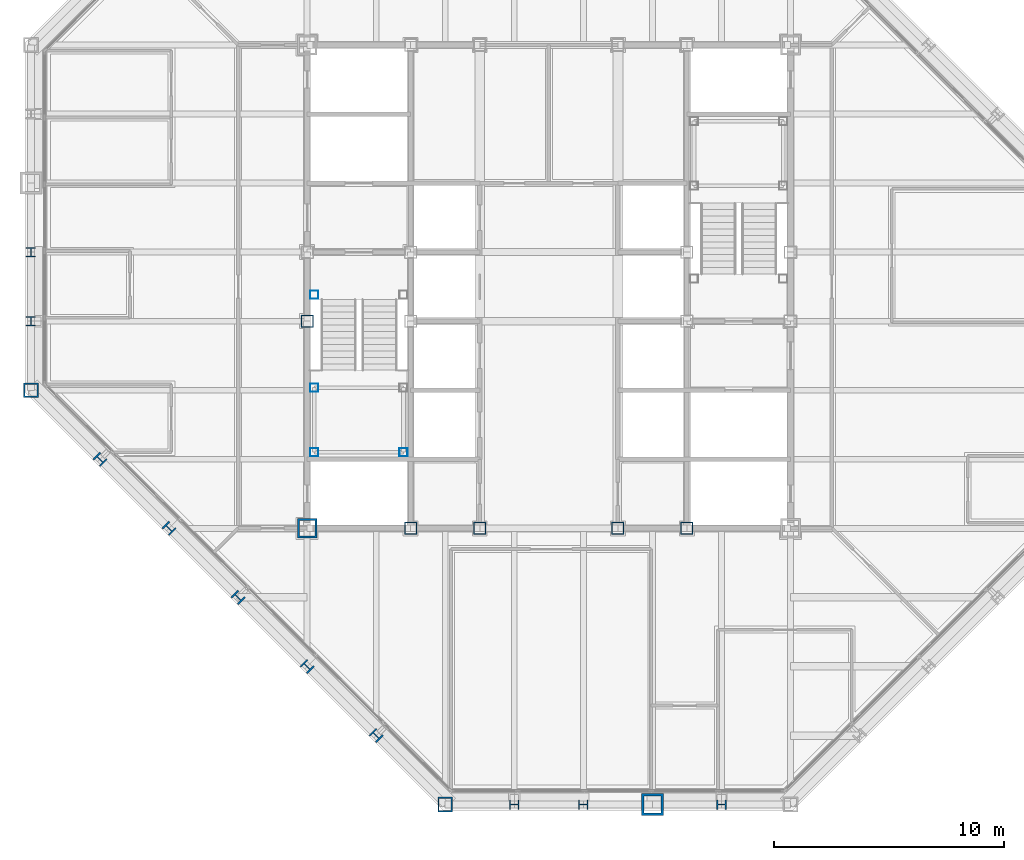
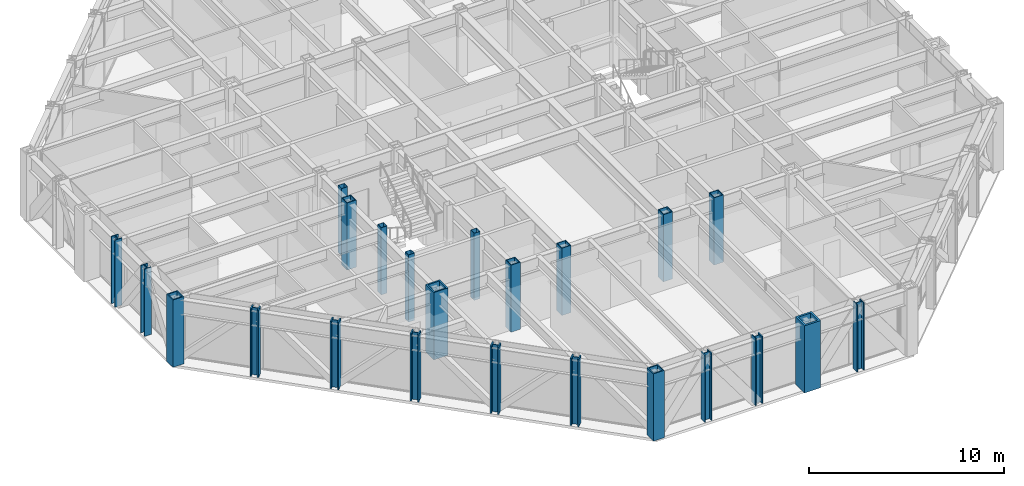
# One storey, part 1 of 16: 23 columns.
"""IFC4 building model written with IfcOpenShell, lengths in metres."""

import ifcopenshell
import ifcopenshell.guid

model = None  # the IFC model being written
_history = None  # IfcOwnerHistory: only IFC2X3 demands one
_inside = {}  # id of a spatial element -> (the spatial element, [elements in it])
_under = {}  # id of a project, library or spatial element -> (it, [spatial elements below it])
_declared = {}  # id of a project -> (the project, [libraries it declares])
_typed = {}  # id of a type object -> (the type object, [elements of that type])
_made_of = {}  # id of a material, layer set ... -> (it, [elements and type objects made of it])


def new_model(schema):
    """Start an empty IFC model of exactly this schema.

    Asked for "IFC4X3", IfcOpenShell would pick the latest addendum, in which some entities
    have other attributes; the version numbers below select the first issue.
    IFC2X3 requires an IfcOwnerHistory on every rooted entity: one is made here for all.
    """
    global model, _history
    if schema == "IFC4X3":
        model = ifcopenshell.file(schema_version=(4, 3, 0, 0))
    else:
        model = ifcopenshell.file(schema=schema)
    _inside.clear()
    _under.clear()
    _declared.clear()
    _typed.clear()
    _made_of.clear()
    _history = None
    if model.schema == "IFC2X3":
        org = make("IfcOrganization", Name="unknown")
        user = make(
            "IfcPersonAndOrganization",
            ThePerson=make("IfcPerson", FamilyName="unknown"),
            TheOrganization=org,
        )
        app = make(
            "IfcApplication",
            ApplicationDeveloper=org,
            Version="unknown",
            ApplicationFullName="unknown",
            ApplicationIdentifier="unknown",
        )
        _history = make(
            "IfcOwnerHistory",
            OwningUser=user,
            OwningApplication=app,
            ChangeAction="ADDED",
            CreationDate=0,
        )
    return model


def make(cls, **values):
    """One entity of the class cls with the attributes given. An attribute that is None is left unset."""
    return model.create_entity(
        cls, **{name: value for name, value in values.items() if value is not None}
    )


def rooted(cls, **values):
    """An entity with a GlobalId (a new one), such as an element, a storey or a relation."""
    return make(cls, GlobalId=ifcopenshell.guid.new(), OwnerHistory=_history, **values)


def si_unit(unit_type, name, prefix=None):
    """IfcSIUnit, for example si_unit("LENGTHUNIT", "METRE", prefix="MILLI")."""
    return make("IfcSIUnit", UnitType=unit_type, Prefix=prefix, Name=name)


def assignment(units):
    """IfcUnitAssignment: the units of a project."""
    return None if units is None else make("IfcUnitAssignment", Units=units)


def point(xyz):
    """IfcCartesianPoint."""
    return None if xyz is None else make("IfcCartesianPoint", Coordinates=xyz)


def direction(xyz):
    """IfcDirection."""
    return None if xyz is None else make("IfcDirection", DirectionRatios=xyz)


def frame(location, z_axis=None, x_axis=None):
    """IfcAxis2Placement3D, a coordinate frame: its origin and axes. An axis left out is left unset."""
    return make(
        "IfcAxis2Placement3D",
        Location=point(location),
        Axis=direction(z_axis),
        RefDirection=direction(x_axis),
    )


def frame_2d(location, x_axis=None):
    """IfcAxis2Placement2D, a coordinate frame in the plane: its origin and x axis."""
    return make(
        "IfcAxis2Placement2D", Location=point(location), RefDirection=direction(x_axis)
    )


def origin():
    """The frame at (0, 0, 0) with its axes left unset."""
    return frame((0.0, 0.0, 0.0))


def origin_2d():
    """The frame at (0, 0) in the plane with its x axis left unset."""
    return frame_2d((0.0, 0.0))


def place(relative_to, where):
    """IfcLocalPlacement: puts the frame where relative to a parent placement (None: the world)."""
    return make(
        "IfcLocalPlacement", PlacementRelTo=relative_to, RelativePlacement=where
    )


def context(
    kind, dimensions, precision=None, world=None, true_north=None, identifier=None
):
    """IfcGeometricRepresentationContext, for example the 3D "Model" context."""
    return make(
        "IfcGeometricRepresentationContext",
        ContextIdentifier=identifier,
        ContextType=kind,
        CoordinateSpaceDimension=dimensions,
        Precision=precision,
        WorldCoordinateSystem=world,
        TrueNorth=true_north,
    )


def subcontext(parent, identifier, kind, view, scale=None):
    """IfcGeometricRepresentationSubContext, for example "Body" below "Model"."""
    return make(
        "IfcGeometricRepresentationSubContext",
        ContextIdentifier=identifier,
        ContextType=kind,
        ParentContext=parent,
        TargetScale=scale,
        TargetView=view,
    )


def project(units=None, contexts=None):
    """IfcProject with its units and contexts."""
    return rooted(
        "IfcProject",
        Name="project",
        RepresentationContexts=contexts,
        UnitsInContext=assignment(units),
    )


def spatial(cls, under=None, at=None, **own):
    """A site, building, storey or space (cls), placed at a placement, below another one or the project."""
    s = rooted(cls, ObjectPlacement=at, **own)
    if under is not None:
        _under.setdefault(under.id(), (under, []))[1].append(s)
    return s


def profile(cls, at=None, kind="AREA", **sizes):
    """A parametric profile (cls). Its sizes go by their IFC names, for example OverallWidth=200.0."""
    return make(cls, ProfileType=kind, Position=at, **sizes)


def hollow_rectangle(**sizes):
    """IfcRectangleHollowProfileDef."""
    return profile("IfcRectangleHollowProfileDef", **sizes)


def i_section(**sizes):
    """IfcIShapeProfileDef."""
    return profile("IfcIShapeProfileDef", **sizes)


def extrude(swept, where, along, depth):
    """IfcExtrudedAreaSolid: the profile swept, set in the frame where, extruded along a direction by depth."""
    return make(
        "IfcExtrudedAreaSolid",
        SweptArea=swept,
        Position=where,
        ExtrudedDirection=direction(along),
        Depth=depth,
    )


def shape(context_of_items, identifier, shape_type, items):
    """IfcShapeRepresentation: the items that make up one representation, for example the "Body"."""
    return make(
        "IfcShapeRepresentation",
        ContextOfItems=context_of_items,
        RepresentationIdentifier=identifier,
        RepresentationType=shape_type,
        Items=items,
    )


def material(Name=None, Category=None):
    """IfcMaterial."""
    return make("IfcMaterial", Name=Name, Category=Category)


def material_profile(
    of_material, cross_section, Name=None, Category=None, Priority=None
):
    """IfcMaterialProfile: a cross section and its material."""
    return make(
        "IfcMaterialProfile",
        Name=Name,
        Material=of_material,
        Profile=cross_section,
        Priority=Priority,
        Category=Category,
    )


def profile_set(profiles, Name=None, composite=None):
    """IfcMaterialProfileSet."""
    return make(
        "IfcMaterialProfileSet",
        Name=Name,
        MaterialProfiles=profiles,
        CompositeProfile=composite,
    )


def made_of(thing, what):
    """Note that an element or type object is made of a material, layer set ...; save() writes the relation."""
    if what is not None:
        _made_of.setdefault(what.id(), (what, []))[1].append(thing)
    return thing


def type_object(cls, material=None, **own):
    """A type object (cls), such as IfcWallType, which elements share."""
    return made_of(rooted(cls, **own), material)


def element(
    cls,
    number,
    at=None,
    inside=None,
    cuts=None,
    type_object=None,
    material=None,
    context=None,
    identifier="Body",
    shape_type=None,
    held_by="IfcProductDefinitionShape",
    body=None,
    shapes=None,
    **own,
):
    """One element of the class cls, such as IfcWall. Its Tag is "e" and its number.

    at: its placement. inside: the storey or other place that contains it. cuts: it is an
    opening in that element (IfcRelVoidsElement). A single representation is given by context,
    identifier, shape_type and body (its items); several are given by shapes. held_by: the class
    of the entity that holds the representations. save() writes the other relations.
    """
    e = rooted(cls, Tag="e%d" % number, ObjectPlacement=at, **own)
    if body is not None:
        shapes = [shape(context, identifier, shape_type, body)]
    if shapes is not None:
        e.Representation = make(held_by, Representations=shapes)
    if inside is not None:
        _inside.setdefault(inside.id(), (inside, []))[1].append(e)
    if cuts is not None:
        rooted(
            "IfcRelVoidsElement", RelatingBuildingElement=cuts, RelatedOpeningElement=e
        )
    if type_object is not None:
        _typed.setdefault(type_object.id(), (type_object, []))[1].append(e)
    return made_of(e, material)


def aggregate(whole, parts):
    """IfcRelAggregates: a whole, such as a stair, and the parts it consists of."""
    return rooted("IfcRelAggregates", RelatingObject=whole, RelatedObjects=parts)


def save(model, path):
    """Write the relations noted so far, then the file.

    IfcRelAggregates (storeys below a building ...), IfcRelContainedInSpatialStructure (elements
    in a storey), IfcRelDefinesByType, IfcRelAssociatesMaterial and IfcRelDeclares: one each for
    every whole, place, type object, material and project.
    """
    for whole, parts in _under.values():
        aggregate(whole, parts)
    for where, things in _inside.values():
        rooted(
            "IfcRelContainedInSpatialStructure",
            RelatedElements=things,
            RelatingStructure=where,
        )
    for kind, things in _typed.values():
        rooted("IfcRelDefinesByType", RelatedObjects=things, RelatingType=kind)
    for what, things in _made_of.values():
        rooted("IfcRelAssociatesMaterial", RelatedObjects=things, RelatingMaterial=what)
    for by, libraries in _declared.values():
        rooted("IfcRelDeclares", RelatingContext=by, RelatedDefinitions=libraries)
    model.write(path)


model = new_model("IFC4")

# Units and contexts
model_context = context("Model", 3, precision=1e-05, world=origin(), true_north=direction((0.0, 1.0)))
body_context = subcontext(model_context, "Body", "Model", "MODEL_VIEW")
ifc_project = project(units=[si_unit("LENGTHUNIT", "METRE"), si_unit("AREAUNIT", "SQUARE_METRE"), si_unit("VOLUMEUNIT", "CUBIC_METRE"), si_unit("PLANEANGLEUNIT", "RADIAN"), si_unit("MASSUNIT", "GRAM", prefix="KILO")], contexts=[model_context])

# Site, building, storey
site_placement = place(None, origin())
site = spatial("IfcSite", under=ifc_project, at=site_placement, CompositionType="ELEMENT")
building_placement = place(site_placement, origin())
building = spatial("IfcBuilding", under=site, at=building_placement, Name="Chuquiago Exchange Tower", CompositionType="ELEMENT")
storey_placement = place(building_placement, frame((0.0, 0.0, 234.89990234375)))
storey = spatial("IfcBuildingStorey", under=building, at=storey_placement, Name="L52", CompositionType="ELEMENT", Elevation=234.89990234375)

# Columns
ifc_material_1 = material(Name="Steel ASTM A992", Category="steel")
ifc_material_profile_1 = material_profile(ifc_material_1, i_section(OverallWidth=0.408935546875, OverallDepth=0.424072265625, WebThickness=0.03271484375, FlangeThickness=0.052490234375, at=origin_2d()), Name="W14X283")
ifc_profile_set_1 = profile_set([ifc_material_profile_1], Name="Steel ASTM A992")
column_type_1 = type_object("IfcColumnType", Name="C8 W14X283", PredefinedType="COLUMN", material=ifc_profile_set_1)
for number, where, z_axis, x_axis, name in (
    (1, (21.0, 0.0, 0.0), (0.0, 0.0, 1.0), (0.0, -1.0, 0.0), "COL-L52-21_0"),
    (2, (24.0, 0.0, 0.0), (0.0, 0.0, 1.0), (0.0, -1.0, 0.0), "COL-L52-24_0"),
    (3, (30.0, 0.0, 0.0), (0.0, 0.0, 1.0), (0.0, -1.0, 0.0), "COL-L52-30_0"),
    (4, (0.0, 24.0, 0.0), (0.0, 0.0, 1.0), (-1.0, 0.0, 0.0), "COL-L52-0_24"),
    (5, (0.0, 21.0, 0.0), (0.0, 0.0, 1.0), (-1.0, 0.0, 0.0), "COL-L52-0_21"),
):
    element("IfcColumn", number, at=place(storey_placement, frame(where, z_axis=z_axis, x_axis=x_axis)), inside=storey, type_object=column_type_1, Name=name, PredefinedType="COLUMN", context=body_context, shape_type="SweptSolid", body=[
        extrude(i_section(OverallWidth=0.408935546875, OverallDepth=0.424072265625, WebThickness=0.03271484375, FlangeThickness=0.052490234375, at=origin_2d()), origin(), (0.0, 0.0, 1.0), 4.2001953125),
    ])
ifc_material_2 = material(Name="Steel ASTM A572 Grade 50", Category="steel")
ifc_material_profile_2 = material_profile(ifc_material_2, hollow_rectangle(XDim=0.85009765625, YDim=0.85009765625, WallThickness=0.0849609375, at=origin_2d()), Name="BOX850X850X85")
ifc_profile_set_2 = profile_set([ifc_material_profile_2], Name="Steel ASTM A572 Grade 50")
column_type_2 = type_object("IfcColumnType", Name="CC6 BOX850X850X85", PredefinedType="COLUMN", material=ifc_profile_set_2)
column_1_placement = place(storey_placement, frame((12.0, 12.0, 0.0), z_axis=(0.0, 0.0, 1.0), x_axis=(1.0, 0.0, 0.0)))
element("IfcColumn", 6, at=column_1_placement, inside=storey, type_object=column_type_2, Name="CCOL-L52-12_12", PredefinedType="COLUMN", context=body_context, shape_type="SweptSolid", body=[
    extrude(hollow_rectangle(XDim=0.85009765625, YDim=0.85009765625, WallThickness=0.0849609375, at=origin_2d()), origin(), (0.0, 0.0, 1.0), 4.2001953125),
])
ifc_material_3 = material(Name="Steel ASTM A572 Grade 50", Category="steel")
ifc_material_profile_3 = material_profile(ifc_material_3, hollow_rectangle(XDim=0.550048828125, YDim=0.550048828125, WallThickness=0.044921875, at=origin_2d()), Name="BOX550X550X45")
ifc_profile_set_3 = profile_set([ifc_material_profile_3], Name="Steel ASTM A572 Grade 50")
column_type_3 = type_object("IfcColumnType", Name="CC8 BOX550X550X45", PredefinedType="COLUMN", material=ifc_profile_set_3)
for number, where, z_axis, x_axis, name in (
    (7, (16.5, 12.0, 0.0), (0.0, 0.0, 1.0), (1.0, 0.0, 0.0), "CCOL-L52-16.5_12"),
    (8, (19.5, 12.0, 0.0), (0.0, 0.0, 1.0), (1.0, 0.0, 0.0), "CCOL-L52-19.5_12"),
    (9, (25.5, 12.0, 0.0), (0.0, 0.0, 1.0), (1.0, 0.0, 0.0), "CCOL-L52-25.5_12"),
    (10, (28.5, 12.0, 0.0), (0.0, 0.0, 1.0), (1.0, 0.0, 0.0), "CCOL-L52-28.5_12"),
    (11, (12.0, 21.0, 0.0), (0.0, 0.0, 1.0), (1.0, 0.0, 0.0), "CCOL-L52-12_21"),
):
    element("IfcColumn", number, at=place(storey_placement, frame(where, z_axis=z_axis, x_axis=x_axis)), inside=storey, type_object=column_type_3, Name=name, PredefinedType="COLUMN", context=body_context, shape_type="SweptSolid", body=[
        extrude(hollow_rectangle(XDim=0.550048828125, YDim=0.550048828125, WallThickness=0.044921875, at=origin_2d()), origin(), (0.0, 0.0, 1.0), 4.2001953125),
    ])
ifc_material_4 = material(Name="Steel ASTM A992", Category="steel")
ifc_material_profile_4 = material_profile(ifc_material_4, i_section(OverallWidth=0.421630859375, OverallDepth=0.46484375, WebThickness=0.044921875, FlangeThickness=0.072509765625, at=origin_2d()), Name="W14X398")
ifc_profile_set_4 = profile_set([ifc_material_profile_4], Name="Steel ASTM A992")
column_type_4 = type_object("IfcColumnType", Name="CK7 W14X398", PredefinedType="COLUMN", material=ifc_profile_set_4)
for number, where, z_axis, x_axis, name in (
    (12, (3.0, 15.0, 0.0), (0.0, 0.0, 1.0), (-0.707106781187, -0.707106781187, 0.0), "COL-L52-3_15"),
    (13, (6.0, 12.0, 0.0), (0.0, 0.0, 1.0), (-0.707106781187, -0.707106781187, 0.0), "COL-L52-6_12"),
    (14, (9.0, 9.0, 0.0), (0.0, 0.0, 1.0), (-0.707106781187, -0.707106781187, 0.0), "COL-L52-9_9"),
    (15, (12.0, 6.0, 0.0), (0.0, 0.0, 1.0), (-0.707106781187, -0.707106781187, 0.0), "COL-L52-12_6"),
    (16, (15.0, 3.0, 0.0), (0.0, 0.0, 1.0), (-0.707106781187, -0.707106781187, 0.0), "COL-L52-15_3"),
):
    element("IfcColumn", number, at=place(storey_placement, frame(where, z_axis=z_axis, x_axis=x_axis)), inside=storey, type_object=column_type_4, Name=name, PredefinedType="COLUMN", context=body_context, shape_type="SweptSolid", body=[
        extrude(i_section(OverallWidth=0.421630859375, OverallDepth=0.46484375, WebThickness=0.044921875, FlangeThickness=0.072509765625, at=origin_2d()), origin(), (0.0, 0.0, 1.0), 4.2001953125),
    ])
ifc_material_5 = material(Name="Steel ASTM A572 Grade 50", Category="steel")
ifc_material_profile_5 = material_profile(ifc_material_5, hollow_rectangle(XDim=0.64990234375, YDim=0.64990234375, WallThickness=0.06494140625, at=origin_2d()), Name="BOX650X650X65")
ifc_profile_set_5 = profile_set([ifc_material_profile_5], Name="Steel ASTM A572 Grade 50")
column_type_5 = type_object("IfcColumnType", Name="CN2 BOX650X650X65", PredefinedType="COLUMN", material=ifc_profile_set_5)
for number, where, z_axis, x_axis, name in (
    (17, (18.0, 0.0, 0.0), (0.0, 0.0, 1.0), (0.0, -1.0, 0.0), "COL-L52-18_0"),
    (18, (0.0, 18.0, 0.0), (0.0, 0.0, 1.0), (-1.0, 0.0, 0.0), "COL-L52-0_18"),
):
    element("IfcColumn", number, at=place(storey_placement, frame(where, z_axis=z_axis, x_axis=x_axis)), inside=storey, type_object=column_type_5, Name=name, PredefinedType="COLUMN", context=body_context, shape_type="SweptSolid", body=[
        extrude(hollow_rectangle(XDim=0.64990234375, YDim=0.64990234375, WallThickness=0.06494140625, at=origin_2d()), origin(), (0.0, 0.0, 1.0), 4.2001953125),
    ])
ifc_material_6 = material(Name="Steel ASTM A572 Grade 42", Category="steel")
ifc_material_profile_6 = material_profile(ifc_material_6, hollow_rectangle(XDim=0.949951171875, YDim=0.949951171875, WallThickness=0.110107421875, at=origin_2d()), Name="BOX950X950X110")
ifc_profile_set_6 = profile_set([ifc_material_profile_6], Name="Steel ASTM A572 Grade 42")
column_type_6 = type_object("IfcColumnType", Name="CT1 BOX950X950X110", PredefinedType="COLUMN", material=ifc_profile_set_6)
column_2_placement = place(storey_placement, frame((27.0, 0.0, 0.0), z_axis=(0.0, 0.0, 1.0), x_axis=(0.0, -1.0, 0.0)))
element("IfcColumn", 19, at=column_2_placement, inside=storey, type_object=column_type_6, Name="COL-L52-27_0", PredefinedType="COLUMN", context=body_context, shape_type="SweptSolid", body=[
    extrude(hollow_rectangle(XDim=0.949951171875, YDim=0.949951171875, WallThickness=0.110107421875, at=origin_2d()), origin(), (0.0, 0.0, 1.0), 4.2001953125),
])
ifc_material_7 = material(Name="Steel ASTM A500 Grade C", Category="steel")
ifc_material_profile_7 = material_profile(ifc_material_7, hollow_rectangle(XDim=0.355712890625, YDim=0.355712890625, WallThickness=0.0087890625, at=origin_2d()), Name="HSS14X14X3/8")
ifc_profile_set_7 = profile_set([ifc_material_profile_7], Name="Steel ASTM A500 Grade C")
column_type_7 = type_object("IfcColumnType", Name="PT1 HSS14X14X3/8", PredefinedType="COLUMN", material=ifc_profile_set_7)
for number, where, z_axis, x_axis, name in (
    (20, (12.31005859375, 15.31005859375, 0.0), (0.0, 0.0, 1.0), (1.0, 0.0, 0.0), "Stair ST1 L52 landing post"),
    (21, (16.18994140625, 15.31005859375, 0.0), (0.0, 0.0, 1.0), (1.0, 0.0, 0.0), "Stair ST1 L52 landing post"),
    (22, (12.31005859375, 18.110107421875, 0.0), (0.0, 0.0, 1.0), (1.0, 0.0, 0.0), "Stair ST1 L52 landing post"),
    (23, (12.31005859375, 22.14990234375, 0.0), (0.0, 0.0, 1.0), (1.0, 0.0, 0.0), "Stair ST1 L52 landing post"),
):
    element("IfcColumn", number, at=place(storey_placement, frame(where, z_axis=z_axis, x_axis=x_axis)), inside=storey, type_object=column_type_7, Name=name, PredefinedType="COLUMN", context=body_context, shape_type="SweptSolid", body=[
        extrude(hollow_rectangle(XDim=0.355712890625, YDim=0.355712890625, WallThickness=0.0087890625, at=origin_2d()), origin(), (0.0, 0.0, 1.0), 4.2001953125),
    ])

save(model, "model.ifc")
